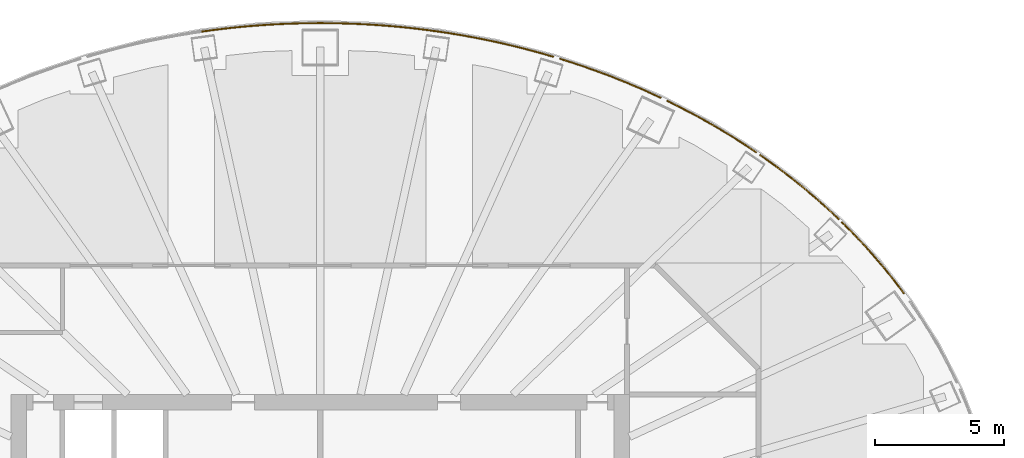
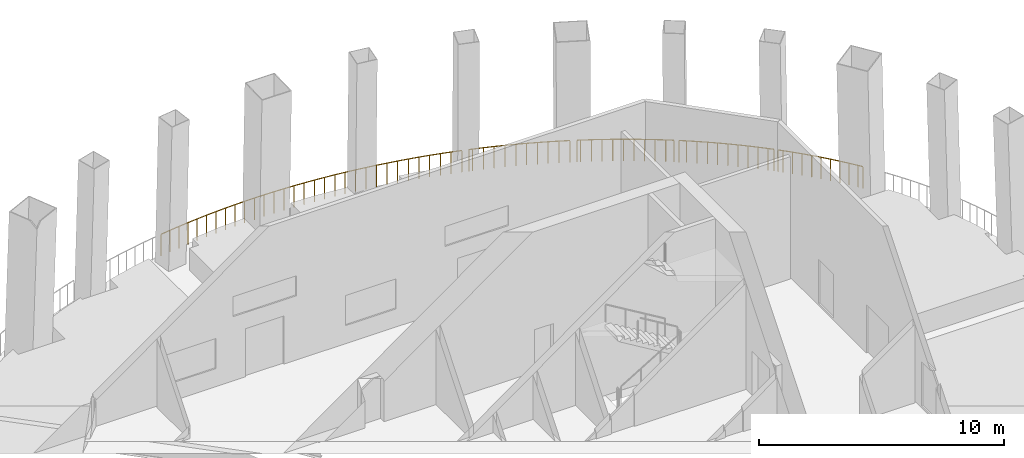
# One storey, part 13 of 13: 7 railings.
"""IFC4 building model written with IfcOpenShell, lengths in metres."""

from ifc_helpers import new_model, si_unit, direction, frame, origin, origin_2d, place, context, subcontext, project, spatial, circle, extrude, material, type_object, element, save


model = new_model("IFC4")

# Units and contexts
model_context = context("Model", 3, precision=1e-05, world=origin(), true_north=direction((0.0, 1.0)))
body_context = subcontext(model_context, "Body", "Model", "MODEL_VIEW")
ifc_project = project(units=[si_unit("LENGTHUNIT", "METRE"), si_unit("AREAUNIT", "SQUARE_METRE"), si_unit("VOLUMEUNIT", "CUBIC_METRE"), si_unit("PLANEANGLEUNIT", "RADIAN"), si_unit("MASSUNIT", "GRAM", prefix="KILO")], contexts=[model_context])

# Site, building, storey
site_placement = place(None, origin())
site = spatial("IfcSite", under=ifc_project, at=site_placement, CompositionType="ELEMENT")
building_placement = place(site_placement, origin())
building = spatial("IfcBuilding", under=site, at=building_placement, Name="Siaravel Broadcast Tower", CompositionType="ELEMENT")
storey_placement = place(building_placement, frame((0.0, 0.0, 85.199951171875)))
storey = spatial("IfcBuildingStorey", under=building, at=storey_placement, Name="L20", CompositionType="ELEMENT", Elevation=85.199951171875)

# Railings
ifc_material = material(Name="Steel S355", Category="steel")
railing_type = type_object("IfcRailingType", Name="Guard 1100", PredefinedType="GUARDRAIL", material=ifc_material)
railing_1_placement = place(storey_placement, frame((22.642333984375, 11.123291015625, 0.080078125)))
element("IfcRailing", 1, at=railing_1_placement, inside=storey, type_object=railing_type, Name="L20 sky garden guard 04", PredefinedType="GUARDRAIL", context=body_context, shape_type="SweptSolid", body=[
    extrude(circle(Radius=0.02392578125, at=origin_2d()), frame((0.0, 0.0, 1.076171875), z_axis=(-0.59570139, 0.803205984, 0.0), x_axis=(-0.803205984, -0.59570139, 0.0)), (0.0, 0.0, 1.0), 0.20947265625),
    extrude(circle(Radius=0.02392578125, at=origin_2d()), frame((-0.124755859375, 0.168212890625, 1.076171875), z_axis=(-0.606774222, 0.794874231, 0.0), x_axis=(-0.794874231, -0.606774222, 0.0)), (0.0, 0.0, 1.0), 0.40234375),
    extrude(circle(Radius=0.02392578125, at=origin_2d()), frame((-0.368896484375, 0.488037109375, 1.076171875), z_axis=(-0.621445895, 0.783457082, 0.0), x_axis=(-0.783457082, -0.621445895, 0.0)), (0.0, 0.0, 1.0), 0.40380859375),
    extrude(circle(Radius=0.02392578125, at=origin_2d()), frame((-0.619873046875, 0.804443359375, 1.076171875), z_axis=(-0.636087219, 0.771617166, 0.0), x_axis=(-0.771617166, -0.636087219, 0.0)), (0.0, 0.0, 1.0), 0.4052734375),
    extrude(circle(Radius=0.02392578125, at=origin_2d()), frame((-0.877685546875, 1.1171875, 1.076171875), z_axis=(-0.650346182, 0.759637969, 0.0), x_axis=(-0.759637969, -0.650346182, 0.0)), (0.0, 0.0, 1.0), 0.406494140625),
    extrude(circle(Radius=0.02392578125, at=origin_2d()), frame((-1.14208984375, 1.426025390625, 1.076171875), z_axis=(-0.663657809, 0.748036304, 0.0), x_axis=(-0.748036304, -0.663657809, 0.0)), (0.0, 0.0, 1.0), 0.407958984375),
    extrude(circle(Radius=0.02392578125, at=origin_2d()), frame((-1.412841796875, 1.731201171875, 1.076171875), z_axis=(-0.677611504, 0.73542005, 0.0), x_axis=(-0.73542005, -0.677611504, 0.0)), (0.0, 0.0, 1.0), 0.40966796875),
    extrude(circle(Radius=0.02392578125, at=origin_2d()), frame((-1.6904296875, 2.032470703125, 1.076171875), z_axis=(-0.690574683, 0.723261092, 0.0), x_axis=(-0.723261092, -0.690574683, 0.0)), (0.0, 0.0, 1.0), 0.410888671875),
    extrude(circle(Radius=0.02392578125, at=origin_2d()), frame((-1.97412109375, 2.32958984375, 1.076171875), z_axis=(-0.703248572, 0.710944053, 0.0), x_axis=(-0.710944053, -0.703248572, 0.0)), (0.0, 0.0, 1.0), 0.412353515625),
    extrude(circle(Radius=0.02392578125, at=origin_2d()), frame((-2.26416015625, 2.622802734375, 1.076171875), z_axis=(-0.712801322, 0.701366007, 0.0), x_axis=(-0.701366007, -0.712801322, 0.0)), (0.0, 0.0, 1.0), 0.192138671875),
    extrude(circle(Radius=0.02099609375, at=origin_2d()), origin(), (0.0, 0.0, 1.0), 1.052001953125),
    extrude(circle(Radius=0.02099609375, at=origin_2d()), frame((-0.124755859375, 0.168212890625, 0.0)), (0.0, 0.0, 1.0), 1.052001953125),
    extrude(circle(Radius=0.02099609375, at=origin_2d()), frame((-0.368896484375, 0.488037109375, 0.0)), (0.0, 0.0, 1.0), 1.052001953125),
    extrude(circle(Radius=0.02099609375, at=origin_2d()), frame((-0.619873046875, 0.804443359375, 0.0)), (0.0, 0.0, 1.0), 1.052001953125),
    extrude(circle(Radius=0.02099609375, at=origin_2d()), frame((-0.877685546875, 1.1171875, 0.0)), (0.0, 0.0, 1.0), 1.052001953125),
    extrude(circle(Radius=0.02099609375, at=origin_2d()), frame((-1.14208984375, 1.426025390625, 0.0)), (0.0, 0.0, 1.0), 1.052001953125),
    extrude(circle(Radius=0.02099609375, at=origin_2d()), frame((-1.412841796875, 1.731201171875, 0.0)), (0.0, 0.0, 1.0), 1.052001953125),
    extrude(circle(Radius=0.02099609375, at=origin_2d()), frame((-1.6904296875, 2.032470703125, 0.0)), (0.0, 0.0, 1.0), 1.052001953125),
    extrude(circle(Radius=0.02099609375, at=origin_2d()), frame((-1.97412109375, 2.32958984375, 0.0)), (0.0, 0.0, 1.0), 1.052001953125),
    extrude(circle(Radius=0.02099609375, at=origin_2d()), frame((-2.26416015625, 2.622802734375, 0.0)), (0.0, 0.0, 1.0), 1.052001953125),
    extrude(circle(Radius=0.02099609375, at=origin_2d()), frame((-2.401123046875, 2.757568359375, 0.0)), (0.0, 0.0, 1.0), 1.052001953125),
])
railing_2_placement = place(storey_placement, frame((20.107421875, 14.01025390625, 0.080078125)))
element("IfcRailing", 2, at=railing_2_placement, inside=storey, type_object=railing_type, Name="L20 sky garden guard 05", PredefinedType="GUARDRAIL", context=body_context, shape_type="SweptSolid", body=[
    extrude(circle(Radius=0.02392578125, at=origin_2d()), frame((0.0, 0.0, 1.076171875), z_axis=(-0.724472386, 0.689303824, 0.0), x_axis=(-0.689303824, -0.724472386, 0.0)), (0.0, 0.0, 1.0), 0.242919921875),
    extrude(circle(Radius=0.02392578125, at=origin_2d()), frame((-0.176025390625, 0.16748046875, 1.076171875), z_axis=(-0.734150631, 0.678986635, 0.0), x_axis=(-0.678986635, -0.734150631, 0.0)), (0.0, 0.0, 1.0), 0.416015625),
    extrude(circle(Radius=0.02392578125, at=origin_2d()), frame((-0.4814453125, 0.449951171875, 1.076171875), z_axis=(-0.745761207, 0.666213345, 0.0), x_axis=(-0.666213345, -0.745761207, 0.0)), (0.0, 0.0, 1.0), 0.41748046875),
    extrude(circle(Radius=0.02392578125, at=origin_2d()), frame((-0.792724609375, 0.72802734375, 1.076171875), z_axis=(-0.757320545, 0.653043331, 0.0), x_axis=(-0.653043331, -0.757320545, 0.0)), (0.0, 0.0, 1.0), 0.419189453125),
    extrude(circle(Radius=0.02392578125, at=origin_2d()), frame((-1.110107421875, 1.001708984375, 1.076171875), z_axis=(-0.768364074, 0.640013008, 0.0), x_axis=(-0.640013008, -0.768364074, 0.0)), (0.0, 0.0, 1.0), 0.42041015625),
    extrude(circle(Radius=0.02392578125, at=origin_2d()), frame((-1.43310546875, 1.270751953125, 1.076171875), z_axis=(-0.779342431, 0.626598257, 0.0), x_axis=(-0.626598257, -0.779342431, 0.0)), (0.0, 0.0, 1.0), 0.421875),
    extrude(circle(Radius=0.02392578125, at=origin_2d()), frame((-1.761962890625, 1.53515625, 1.076171875), z_axis=(-0.789849026, 0.613301326, 0.0), x_axis=(-0.613301326, -0.789849026, 0.0)), (0.0, 0.0, 1.0), 0.423095703125),
    extrude(circle(Radius=0.02392578125, at=origin_2d()), frame((-2.09619140625, 1.794677734375, 1.076171875), z_axis=(-0.8, 0.6, 0.0), x_axis=(-0.6, -0.8, 0.0)), (0.0, 0.0, 1.0), 0.4248046875),
    extrude(circle(Radius=0.02392578125, at=origin_2d()), frame((-2.43603515625, 2.049560546875, 1.076171875), z_axis=(-0.809923356, 0.586535726, 0.0), x_axis=(-0.586535726, -0.809923356, 0.0)), (0.0, 0.0, 1.0), 0.42626953125),
    extrude(circle(Radius=0.02392578125, at=origin_2d()), frame((-2.78125, 2.299560546875, 1.076171875), z_axis=(-0.818797848, 0.57408195, 0.0), x_axis=(-0.57408195, -0.818797848, 0.0)), (0.0, 0.0, 1.0), 0.317138671875),
    extrude(circle(Radius=0.02099609375, at=origin_2d()), origin(), (0.0, 0.0, 1.0), 1.052001953125),
    extrude(circle(Radius=0.02099609375, at=origin_2d()), frame((-0.176025390625, 0.16748046875, 0.0)), (0.0, 0.0, 1.0), 1.052001953125),
    extrude(circle(Radius=0.02099609375, at=origin_2d()), frame((-0.4814453125, 0.449951171875, 0.0)), (0.0, 0.0, 1.0), 1.052001953125),
    extrude(circle(Radius=0.02099609375, at=origin_2d()), frame((-0.792724609375, 0.72802734375, 0.0)), (0.0, 0.0, 1.0), 1.052001953125),
    extrude(circle(Radius=0.02099609375, at=origin_2d()), frame((-1.110107421875, 1.001708984375, 0.0)), (0.0, 0.0, 1.0), 1.052001953125),
    extrude(circle(Radius=0.02099609375, at=origin_2d()), frame((-1.43310546875, 1.270751953125, 0.0)), (0.0, 0.0, 1.0), 1.052001953125),
    extrude(circle(Radius=0.02099609375, at=origin_2d()), frame((-1.761962890625, 1.53515625, 0.0)), (0.0, 0.0, 1.0), 1.052001953125),
    extrude(circle(Radius=0.02099609375, at=origin_2d()), frame((-2.09619140625, 1.794677734375, 0.0)), (0.0, 0.0, 1.0), 1.052001953125),
    extrude(circle(Radius=0.02099609375, at=origin_2d()), frame((-2.43603515625, 2.049560546875, 0.0)), (0.0, 0.0, 1.0), 1.052001953125),
    extrude(circle(Radius=0.02099609375, at=origin_2d()), frame((-2.78125, 2.299560546875, 0.0)), (0.0, 0.0, 1.0), 1.052001953125),
    extrude(circle(Radius=0.02099609375, at=origin_2d()), frame((-3.041015625, 2.481689453125, 0.0)), (0.0, 0.0, 1.0), 1.052001953125),
])
railing_3_placement = place(storey_placement, frame((16.905517578125, 16.602294921875, 0.080078125)))
element("IfcRailing", 3, at=railing_3_placement, inside=storey, type_object=railing_type, Name="L20 sky garden guard 06", PredefinedType="GUARDRAIL", context=body_context, shape_type="SweptSolid", body=[
    extrude(circle(Radius=0.02392578125, at=origin_2d()), frame((0.0, 0.0, 1.076171875), z_axis=(-0.829202106, 0.558948896, 0.0), x_axis=(-0.558948896, -0.829202106, 0.0)), (0.0, 0.0, 1.0), 0.34423828125),
    extrude(circle(Radius=0.02392578125, at=origin_2d()), frame((-0.285400390625, 0.1923828125, 1.076171875), z_axis=(-0.83836585, 0.545107972, 0.0), x_axis=(-0.545107972, -0.83836585, 0.0)), (0.0, 0.0, 1.0), 0.430419921875),
    extrude(circle(Radius=0.02392578125, at=origin_2d()), frame((-0.646240234375, 0.427001953125, 1.076171875), z_axis=(-0.846789328, 0.53192841, 0.0), x_axis=(-0.53192841, -0.846789328, 0.0)), (0.0, 0.0, 1.0), 0.431884765625),
    extrude(circle(Radius=0.02392578125, at=origin_2d()), frame((-1.011962890625, 0.65673828125, 1.076171875), z_axis=(-0.855296265, 0.518139267, 0.0), x_axis=(-0.518139267, -0.855296265, 0.0)), (0.0, 0.0, 1.0), 0.43310546875),
    extrude(circle(Radius=0.02392578125, at=origin_2d()), frame((-1.38232421875, 0.881103515625, 1.076171875), z_axis=(-0.86381964, 0.503801181, 0.0), x_axis=(-0.503801181, -0.86381964, 0.0)), (0.0, 0.0, 1.0), 0.4345703125),
    extrude(circle(Radius=0.02392578125, at=origin_2d()), frame((-1.7578125, 1.10009765625, 1.076171875), z_axis=(-0.871635371, 0.490154852, 0.0), x_axis=(-0.490154852, -0.871635371, 0.0)), (0.0, 0.0, 1.0), 0.435791015625),
    extrude(circle(Radius=0.02392578125, at=origin_2d()), frame((-2.1376953125, 1.313720703125, 1.076171875), z_axis=(-0.879194479, 0.476463082, 0.0), x_axis=(-0.476463082, -0.879194479, 0.0)), (0.0, 0.0, 1.0), 0.43701171875),
    extrude(circle(Radius=0.02392578125, at=origin_2d()), frame((-2.52197265625, 1.52197265625, 1.076171875), z_axis=(-0.886723846, 0.462299493, 0.0), x_axis=(-0.462299493, -0.886723846, 0.0)), (0.0, 0.0, 1.0), 0.438232421875),
    extrude(circle(Radius=0.02392578125, at=origin_2d()), frame((-2.91064453125, 1.724609375, 1.076171875), z_axis=(-0.893982535, 0.448101805, 0.0), x_axis=(-0.448101805, -0.893982535, 0.0)), (0.0, 0.0, 1.0), 0.439697265625),
    extrude(circle(Radius=0.02392578125, at=origin_2d()), frame((-3.3037109375, 1.921630859375, 1.076171875), z_axis=(-0.898956864, 0.438037163, 0.0), x_axis=(-0.438037163, -0.898956864, 0.0)), (0.0, 0.0, 1.0), 0.1494140625),
    extrude(circle(Radius=0.02099609375, at=origin_2d()), origin(), (0.0, 0.0, 1.0), 1.052001953125),
    extrude(circle(Radius=0.02099609375, at=origin_2d()), frame((-0.285400390625, 0.1923828125, 0.0)), (0.0, 0.0, 1.0), 1.052001953125),
    extrude(circle(Radius=0.02099609375, at=origin_2d()), frame((-0.646240234375, 0.427001953125, 0.0)), (0.0, 0.0, 1.0), 1.052001953125),
    extrude(circle(Radius=0.02099609375, at=origin_2d()), frame((-1.011962890625, 0.65673828125, 0.0)), (0.0, 0.0, 1.0), 1.052001953125),
    extrude(circle(Radius=0.02099609375, at=origin_2d()), frame((-1.38232421875, 0.881103515625, 0.0)), (0.0, 0.0, 1.0), 1.052001953125),
    extrude(circle(Radius=0.02099609375, at=origin_2d()), frame((-1.7578125, 1.10009765625, 0.0)), (0.0, 0.0, 1.0), 1.052001953125),
    extrude(circle(Radius=0.02099609375, at=origin_2d()), frame((-2.1376953125, 1.313720703125, 0.0)), (0.0, 0.0, 1.0), 1.052001953125),
    extrude(circle(Radius=0.02099609375, at=origin_2d()), frame((-2.52197265625, 1.52197265625, 0.0)), (0.0, 0.0, 1.0), 1.052001953125),
    extrude(circle(Radius=0.02099609375, at=origin_2d()), frame((-2.91064453125, 1.724609375, 0.0)), (0.0, 0.0, 1.0), 1.052001953125),
    extrude(circle(Radius=0.02099609375, at=origin_2d()), frame((-3.3037109375, 1.921630859375, 0.0)), (0.0, 0.0, 1.0), 1.052001953125),
    extrude(circle(Radius=0.02099609375, at=origin_2d()), frame((-3.43798828125, 1.987060546875, 0.0)), (0.0, 0.0, 1.0), 1.052001953125),
])
railing_4_placement = place(storey_placement, frame((13.20458984375, 18.71533203125, 0.080078125)))
element("IfcRailing", 4, at=railing_4_placement, inside=storey, type_object=railing_type, Name="L20 sky garden guard 07", PredefinedType="GUARDRAIL", context=body_context, shape_type="SweptSolid", body=[
    extrude(circle(Radius=0.02392578125, at=origin_2d()), frame((0.0, 0.0, 1.076171875), z_axis=(-0.907392809, 0.420283583, 0.0), x_axis=(-0.420283583, -0.907392809, 0.0)), (0.0, 0.0, 1.0), 0.442138671875),
    extrude(circle(Radius=0.02392578125, at=origin_2d()), frame((-0.401123046875, 0.185791015625, 1.076171875), z_axis=(-0.913879684, 0.405985128, 0.0), x_axis=(-0.405985128, -0.913879684, 0.0)), (0.0, 0.0, 1.0), 0.443115234375),
    extrude(circle(Radius=0.02392578125, at=origin_2d()), frame((-0.80615234375, 0.36572265625, 1.076171875), z_axis=(-0.920108309, 0.391664014, 0.0), x_axis=(-0.391664014, -0.920108309, 0.0)), (0.0, 0.0, 1.0), 0.4443359375),
    extrude(circle(Radius=0.02392578125, at=origin_2d()), frame((-1.215087890625, 0.539794921875, 1.076171875), z_axis=(-0.925730192, 0.378184626, 0.0), x_axis=(-0.378184626, -0.925730192, 0.0)), (0.0, 0.0, 1.0), 0.445556640625),
    extrude(circle(Radius=0.02392578125, at=origin_2d()), frame((-1.62744140625, 0.708251953125, 1.076171875), z_axis=(-0.931573104, 0.363554057, 0.0), x_axis=(-0.363554057, -0.931573104, 0.0)), (0.0, 0.0, 1.0), 0.446533203125),
    extrude(circle(Radius=0.02392578125, at=origin_2d()), frame((-2.04345703125, 0.87060546875, 1.076171875), z_axis=(-0.937089112, 0.34909024, 0.0), x_axis=(-0.34909024, -0.937089112, 0.0)), (0.0, 0.0, 1.0), 0.447509765625),
    extrude(circle(Radius=0.02392578125, at=origin_2d()), frame((-2.462890625, 1.02685546875, 1.076171875), z_axis=(-0.94212303, 0.335267352, 0.0), x_axis=(-0.335267352, -0.94212303, 0.0)), (0.0, 0.0, 1.0), 0.448486328125),
    extrude(circle(Radius=0.02392578125, at=origin_2d()), frame((-2.885498046875, 1.17724609375, 1.076171875), z_axis=(-0.946987546, 0.321270273, 0.0), x_axis=(-0.321270273, -0.946987546, 0.0)), (0.0, 0.0, 1.0), 0.449951171875),
    extrude(circle(Radius=0.02392578125, at=origin_2d()), frame((-3.3115234375, 1.32177734375, 1.076171875), z_axis=(-0.951780111, 0.306781061, 0.0), x_axis=(-0.306781061, -0.951780111, 0.0)), (0.0, 0.0, 1.0), 0.450439453125),
    extrude(circle(Radius=0.02392578125, at=origin_2d()), frame((-3.740234375, 1.4599609375, 1.076171875), z_axis=(-0.955183215, 0.296015246, 0.0), x_axis=(-0.296015246, -0.955183215, 0.0)), (0.0, 0.0, 1.0), 0.159912109375),
    extrude(circle(Radius=0.02099609375, at=origin_2d()), origin(), (0.0, 0.0, 1.0), 1.052001953125),
    extrude(circle(Radius=0.02099609375, at=origin_2d()), frame((-0.401123046875, 0.185791015625, 0.0)), (0.0, 0.0, 1.0), 1.052001953125),
    extrude(circle(Radius=0.02099609375, at=origin_2d()), frame((-0.80615234375, 0.36572265625, 0.0)), (0.0, 0.0, 1.0), 1.052001953125),
    extrude(circle(Radius=0.02099609375, at=origin_2d()), frame((-1.215087890625, 0.539794921875, 0.0)), (0.0, 0.0, 1.0), 1.052001953125),
    extrude(circle(Radius=0.02099609375, at=origin_2d()), frame((-1.62744140625, 0.708251953125, 0.0)), (0.0, 0.0, 1.0), 1.052001953125),
    extrude(circle(Radius=0.02099609375, at=origin_2d()), frame((-2.04345703125, 0.87060546875, 0.0)), (0.0, 0.0, 1.0), 1.052001953125),
    extrude(circle(Radius=0.02099609375, at=origin_2d()), frame((-2.462890625, 1.02685546875, 0.0)), (0.0, 0.0, 1.0), 1.052001953125),
    extrude(circle(Radius=0.02099609375, at=origin_2d()), frame((-2.885498046875, 1.17724609375, 0.0)), (0.0, 0.0, 1.0), 1.052001953125),
    extrude(circle(Radius=0.02099609375, at=origin_2d()), frame((-3.3115234375, 1.32177734375, 0.0)), (0.0, 0.0, 1.0), 1.052001953125),
    extrude(circle(Radius=0.02099609375, at=origin_2d()), frame((-3.740234375, 1.4599609375, 0.0)), (0.0, 0.0, 1.0), 1.052001953125),
    extrude(circle(Radius=0.02099609375, at=origin_2d()), frame((-3.89306640625, 1.50732421875, 0.0)), (0.0, 0.0, 1.0), 1.052001953125),
])
railing_5_placement = place(storey_placement, frame((9.032470703125, 20.307373046875, 0.080078125)))
element("IfcRailing", 5, at=railing_5_placement, inside=storey, type_object=railing_type, Name="L20 sky garden guard 08", PredefinedType="GUARDRAIL", context=body_context, shape_type="SweptSolid", body=[
    extrude(circle(Radius=0.02392578125, at=origin_2d()), frame((0.0, 0.0, 1.076171875), z_axis=(-0.960560469, 0.278071187, 0.0), x_axis=(-0.278071187, -0.960560469, 0.0)), (0.0, 0.0, 1.0), 0.4521484375),
    extrude(circle(Radius=0.02392578125, at=origin_2d()), frame((-0.434326171875, 0.125732421875, 1.076171875), z_axis=(-0.964415038, 0.264392956, 0.0), x_axis=(-0.264392956, -0.964415038, 0.0)), (0.0, 0.0, 1.0), 0.453369140625),
    extrude(circle(Radius=0.02392578125, at=origin_2d()), frame((-0.87158203125, 0.24560546875, 1.076171875), z_axis=(-0.968344469, 0.249617685, 0.0), x_axis=(-0.249617685, -0.968344469, 0.0)), (0.0, 0.0, 1.0), 0.453857421875),
    extrude(circle(Radius=0.02392578125, at=origin_2d()), frame((-1.31103515625, 0.35888671875, 1.076171875), z_axis=(-0.971853829, 0.235584666, 0.0), x_axis=(-0.235584666, -0.971853829, 0.0)), (0.0, 0.0, 1.0), 0.454833984375),
    extrude(circle(Radius=0.02392578125, at=origin_2d()), frame((-1.753173828125, 0.466064453125, 1.076171875), z_axis=(-0.97518023, 0.221412554, 0.0), x_axis=(-0.221412554, -0.97518023, 0.0)), (0.0, 0.0, 1.0), 0.455322265625),
    extrude(circle(Radius=0.02392578125, at=origin_2d()), frame((-2.197265625, 0.56689453125, 1.076171875), z_axis=(-0.978316348, 0.207116207, 0.0), x_axis=(-0.207116207, -0.978316348, 0.0)), (0.0, 0.0, 1.0), 0.456298828125),
    extrude(circle(Radius=0.02392578125, at=origin_2d()), frame((-2.6435546875, 0.661376953125, 1.076171875), z_axis=(-0.981293946, 0.192515433, 0.0), x_axis=(-0.192515433, -0.981293946, 0.0)), (0.0, 0.0, 1.0), 0.45654296875),
    extrude(circle(Radius=0.02392578125, at=origin_2d()), frame((-3.091552734375, 0.749267578125, 1.076171875), z_axis=(-0.983895511, 0.178744575, 0.0), x_axis=(-0.178744575, -0.983895511, 0.0)), (0.0, 0.0, 1.0), 0.45751953125),
    extrude(circle(Radius=0.02392578125, at=origin_2d()), frame((-3.541748046875, 0.8310546875, 1.076171875), z_axis=(-0.986408338, 0.164312476, 0.0), x_axis=(-0.164312476, -0.986408338, 0.0)), (0.0, 0.0, 1.0), 0.45751953125),
    extrude(circle(Radius=0.02392578125, at=origin_2d()), frame((-3.9931640625, 0.90625, 1.076171875), z_axis=(-0.988744163, 0.149616107, 0.0), x_axis=(-0.149616107, -0.988744163, 0.0)), (0.0, 0.0, 1.0), 0.45849609375),
    extrude(circle(Radius=0.02099609375, at=origin_2d()), origin(), (0.0, 0.0, 1.0), 1.052001953125),
    extrude(circle(Radius=0.02099609375, at=origin_2d()), frame((-0.434326171875, 0.125732421875, 0.0)), (0.0, 0.0, 1.0), 1.052001953125),
    extrude(circle(Radius=0.02099609375, at=origin_2d()), frame((-0.87158203125, 0.24560546875, 0.0)), (0.0, 0.0, 1.0), 1.052001953125),
    extrude(circle(Radius=0.02099609375, at=origin_2d()), frame((-1.31103515625, 0.35888671875, 0.0)), (0.0, 0.0, 1.0), 1.052001953125),
    extrude(circle(Radius=0.02099609375, at=origin_2d()), frame((-1.753173828125, 0.466064453125, 0.0)), (0.0, 0.0, 1.0), 1.052001953125),
    extrude(circle(Radius=0.02099609375, at=origin_2d()), frame((-2.197265625, 0.56689453125, 0.0)), (0.0, 0.0, 1.0), 1.052001953125),
    extrude(circle(Radius=0.02099609375, at=origin_2d()), frame((-2.6435546875, 0.661376953125, 0.0)), (0.0, 0.0, 1.0), 1.052001953125),
    extrude(circle(Radius=0.02099609375, at=origin_2d()), frame((-3.091552734375, 0.749267578125, 0.0)), (0.0, 0.0, 1.0), 1.052001953125),
    extrude(circle(Radius=0.02099609375, at=origin_2d()), frame((-3.541748046875, 0.8310546875, 0.0)), (0.0, 0.0, 1.0), 1.052001953125),
    extrude(circle(Radius=0.02099609375, at=origin_2d()), frame((-3.9931640625, 0.90625, 0.0)), (0.0, 0.0, 1.0), 1.052001953125),
    extrude(circle(Radius=0.02099609375, at=origin_2d()), frame((-4.446533203125, 0.974853515625, 0.0)), (0.0, 0.0, 1.0), 1.052001953125),
])
railing_6_placement = place(storey_placement, frame((4.5859375, 21.2822265625, 0.080078125)))
element("IfcRailing", 6, at=railing_6_placement, inside=storey, type_object=railing_type, Name="L20 sky garden guard 09", PredefinedType="GUARDRAIL", context=body_context, shape_type="SweptSolid", body=[
    extrude(circle(Radius=0.02392578125, at=origin_2d()), frame((0.0, 0.0, 1.076171875), z_axis=(-0.990752295, 0.135683048, 0.0), x_axis=(-0.135683048, -0.990752295, 0.0)), (0.0, 0.0, 1.0), 0.458740234375),
    extrude(circle(Radius=0.02392578125, at=origin_2d()), frame((-0.45458984375, 0.062255859375, 1.076171875), z_axis=(-0.992561499, 0.121744287, 0.0), x_axis=(-0.121744287, -0.992561499, 0.0)), (0.0, 0.0, 1.0), 0.459228515625),
    extrude(circle(Radius=0.02392578125, at=origin_2d()), frame((-0.910400390625, 0.1181640625, 1.076171875), z_axis=(-0.994285016, 0.106758167, 0.0), x_axis=(-0.106758167, -0.994285016, 0.0)), (0.0, 0.0, 1.0), 0.459716796875),
    extrude(circle(Radius=0.02392578125, at=origin_2d()), frame((-1.367431640625, 0.167236328125, 1.076171875), z_axis=(-0.995677278, 0.092880343, 0.0), x_axis=(-0.092880343, -0.995677278, 0.0)), (0.0, 0.0, 1.0), 0.4599609375),
    extrude(circle(Radius=0.02392578125, at=origin_2d()), frame((-1.825439453125, 0.2099609375, 1.076171875), z_axis=(-0.996912373, 0.078522103, 0.0), x_axis=(-0.078522103, -0.996912373, 0.0)), (0.0, 0.0, 1.0), 0.460205078125),
    extrude(circle(Radius=0.02392578125, at=origin_2d()), frame((-2.2841796875, 0.24609375, 1.076171875), z_axis=(-0.997905481, 0.064688878, 0.0), x_axis=(-0.064688878, -0.997905481, 0.0)), (0.0, 0.0, 1.0), 0.46044921875),
    extrude(circle(Radius=0.02392578125, at=origin_2d()), frame((-2.74365234375, 0.27587890625, 1.076171875), z_axis=(-0.998758937, 0.049805485, 0.0), x_axis=(-0.049805485, -0.998758937, 0.0)), (0.0, 0.0, 1.0), 0.460693359375),
    extrude(circle(Radius=0.02392578125, at=origin_2d()), frame((-3.203857421875, 0.298828125, 1.076171875), z_axis=(-0.999369587, 0.035502525, 0.0), x_axis=(-0.035502525, -0.999369587, 0.0)), (0.0, 0.0, 1.0), 0.460693359375),
    extrude(circle(Radius=0.02392578125, at=origin_2d()), frame((-3.664306640625, 0.315185546875, 1.076171875), z_axis=(-0.999764039, 0.021722483, 0.0), x_axis=(-0.021722483, -0.999764039, 0.0)), (0.0, 0.0, 1.0), 0.460693359375),
    extrude(circle(Radius=0.02392578125, at=origin_2d()), frame((-4.125, 0.3251953125, 1.076171875), z_axis=(-0.999976295, 0.00688543, 0.0), x_axis=(-0.00688543, -0.999976295, 0.0)), (0.0, 0.0, 1.0), 0.4609375),
    extrude(circle(Radius=0.02099609375, at=origin_2d()), origin(), (0.0, 0.0, 1.0), 1.052001953125),
    extrude(circle(Radius=0.02099609375, at=origin_2d()), frame((-0.45458984375, 0.062255859375, 0.0)), (0.0, 0.0, 1.0), 1.052001953125),
    extrude(circle(Radius=0.02099609375, at=origin_2d()), frame((-0.910400390625, 0.1181640625, 0.0)), (0.0, 0.0, 1.0), 1.052001953125),
    extrude(circle(Radius=0.02099609375, at=origin_2d()), frame((-1.367431640625, 0.167236328125, 0.0)), (0.0, 0.0, 1.0), 1.052001953125),
    extrude(circle(Radius=0.02099609375, at=origin_2d()), frame((-1.825439453125, 0.2099609375, 0.0)), (0.0, 0.0, 1.0), 1.052001953125),
    extrude(circle(Radius=0.02099609375, at=origin_2d()), frame((-2.2841796875, 0.24609375, 0.0)), (0.0, 0.0, 1.0), 1.052001953125),
    extrude(circle(Radius=0.02099609375, at=origin_2d()), frame((-2.74365234375, 0.27587890625, 0.0)), (0.0, 0.0, 1.0), 1.052001953125),
    extrude(circle(Radius=0.02099609375, at=origin_2d()), frame((-3.203857421875, 0.298828125, 0.0)), (0.0, 0.0, 1.0), 1.052001953125),
    extrude(circle(Radius=0.02099609375, at=origin_2d()), frame((-3.664306640625, 0.315185546875, 0.0)), (0.0, 0.0, 1.0), 1.052001953125),
    extrude(circle(Radius=0.02099609375, at=origin_2d()), frame((-4.125, 0.3251953125, 0.0)), (0.0, 0.0, 1.0), 1.052001953125),
    extrude(circle(Radius=0.02099609375, at=origin_2d()), frame((-4.5859375, 0.328369140625, 0.0)), (0.0, 0.0, 1.0), 1.052001953125),
])
railing_7_placement = place(storey_placement, frame((0.0, 21.610595703125, 0.080078125)))
element("IfcRailing", 7, at=railing_7_placement, inside=storey, type_object=railing_type, Name="L20 sky garden guard 10", PredefinedType="GUARDRAIL", context=body_context, shape_type="SweptSolid", body=[
    extrude(circle(Radius=0.02392578125, at=origin_2d()), frame((0.0, 0.0, 1.076171875), z_axis=(-0.999976295, -0.00688543, 0.0), x_axis=(0.00688543, -0.999976295, 0.0)), (0.0, 0.0, 1.0), 0.4609375),
    extrude(circle(Radius=0.02392578125, at=origin_2d()), frame((-0.4609375, -0.003173828125, 1.076171875), z_axis=(-0.999764039, -0.021722483, 0.0), x_axis=(0.021722483, -0.999764039, 0.0)), (0.0, 0.0, 1.0), 0.460693359375),
    extrude(circle(Radius=0.02392578125, at=origin_2d()), frame((-0.921630859375, -0.01318359375, 1.076171875), z_axis=(-0.999369587, -0.035502525, 0.0), x_axis=(0.035502525, -0.999369587, 0.0)), (0.0, 0.0, 1.0), 0.460693359375),
    extrude(circle(Radius=0.02392578125, at=origin_2d()), frame((-1.382080078125, -0.029541015625, 1.076171875), z_axis=(-0.998758937, -0.049805485, 0.0), x_axis=(0.049805485, -0.998758937, 0.0)), (0.0, 0.0, 1.0), 0.460693359375),
    extrude(circle(Radius=0.02392578125, at=origin_2d()), frame((-1.84228515625, -0.052490234375, 1.076171875), z_axis=(-0.997905481, -0.064688878, 0.0), x_axis=(0.064688878, -0.997905481, 0.0)), (0.0, 0.0, 1.0), 0.46044921875),
    extrude(circle(Radius=0.02392578125, at=origin_2d()), frame((-2.3017578125, -0.082275390625, 1.076171875), z_axis=(-0.996912373, -0.078522103, 0.0), x_axis=(0.078522103, -0.996912373, 0.0)), (0.0, 0.0, 1.0), 0.460205078125),
    extrude(circle(Radius=0.02392578125, at=origin_2d()), frame((-2.760498046875, -0.118408203125, 1.076171875), z_axis=(-0.995677278, -0.092880343, 0.0), x_axis=(0.092880343, -0.995677278, 0.0)), (0.0, 0.0, 1.0), 0.4599609375),
    extrude(circle(Radius=0.02392578125, at=origin_2d()), frame((-3.218505859375, -0.1611328125, 1.076171875), z_axis=(-0.994285016, -0.106758167, 0.0), x_axis=(0.106758167, -0.994285016, 0.0)), (0.0, 0.0, 1.0), 0.459716796875),
    extrude(circle(Radius=0.02392578125, at=origin_2d()), frame((-3.675537109375, -0.210205078125, 1.076171875), z_axis=(-0.992561499, -0.121744287, 0.0), x_axis=(0.121744287, -0.992561499, 0.0)), (0.0, 0.0, 1.0), 0.459228515625),
    extrude(circle(Radius=0.02392578125, at=origin_2d()), frame((-4.13134765625, -0.26611328125, 1.076171875), z_axis=(-0.990752295, -0.135683048, 0.0), x_axis=(0.135683048, -0.990752295, 0.0)), (0.0, 0.0, 1.0), 0.458740234375),
    extrude(circle(Radius=0.02099609375, at=origin_2d()), origin(), (0.0, 0.0, 1.0), 1.052001953125),
    extrude(circle(Radius=0.02099609375, at=origin_2d()), frame((-0.4609375, -0.003173828125, 0.0)), (0.0, 0.0, 1.0), 1.052001953125),
    extrude(circle(Radius=0.02099609375, at=origin_2d()), frame((-0.921630859375, -0.01318359375, 0.0)), (0.0, 0.0, 1.0), 1.052001953125),
    extrude(circle(Radius=0.02099609375, at=origin_2d()), frame((-1.382080078125, -0.029541015625, 0.0)), (0.0, 0.0, 1.0), 1.052001953125),
    extrude(circle(Radius=0.02099609375, at=origin_2d()), frame((-1.84228515625, -0.052490234375, 0.0)), (0.0, 0.0, 1.0), 1.052001953125),
    extrude(circle(Radius=0.02099609375, at=origin_2d()), frame((-2.3017578125, -0.082275390625, 0.0)), (0.0, 0.0, 1.0), 1.052001953125),
    extrude(circle(Radius=0.02099609375, at=origin_2d()), frame((-2.760498046875, -0.118408203125, 0.0)), (0.0, 0.0, 1.0), 1.052001953125),
    extrude(circle(Radius=0.02099609375, at=origin_2d()), frame((-3.218505859375, -0.1611328125, 0.0)), (0.0, 0.0, 1.0), 1.052001953125),
    extrude(circle(Radius=0.02099609375, at=origin_2d()), frame((-3.675537109375, -0.210205078125, 0.0)), (0.0, 0.0, 1.0), 1.052001953125),
    extrude(circle(Radius=0.02099609375, at=origin_2d()), frame((-4.13134765625, -0.26611328125, 0.0)), (0.0, 0.0, 1.0), 1.052001953125),
    extrude(circle(Radius=0.02099609375, at=origin_2d()), frame((-4.5859375, -0.328369140625, 0.0)), (0.0, 0.0, 1.0), 1.052001953125),
])

save(model, "model.ifc")
